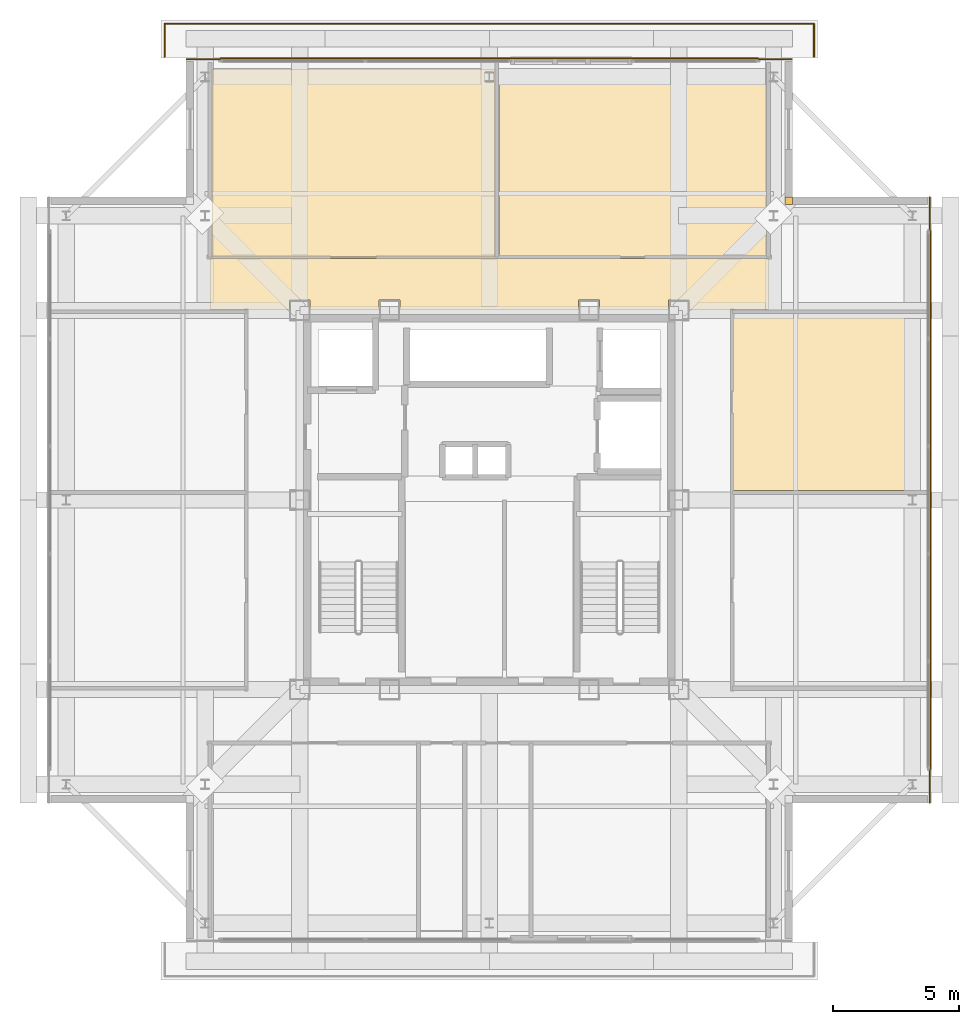
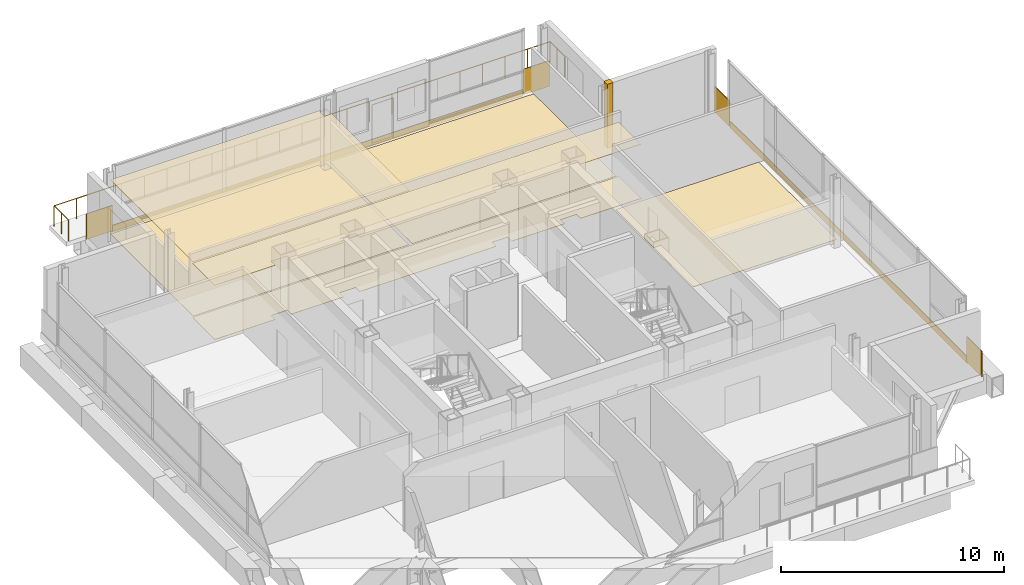
# One storey, part 15 of 15: 13 coverings, 3 railings.
"""IFC4 building model written with IfcOpenShell, lengths in metres."""

from ifc_helpers import new_model, si_unit, direction, frame, frame_2d, origin, origin_2d, place, context, subcontext, project, spatial, polyline, rectangle, circle, outline, extrude, material, layer, layer_set, type_object, element, save


model = new_model("IFC4")

# Units and contexts
model_context = context("Model", 3, precision=1e-05, world=origin(), true_north=direction((0.0, 1.0)))
body_context = subcontext(model_context, "Body", "Model", "MODEL_VIEW")
ifc_project = project(units=[si_unit("LENGTHUNIT", "METRE"), si_unit("AREAUNIT", "SQUARE_METRE"), si_unit("VOLUMEUNIT", "CUBIC_METRE"), si_unit("PLANEANGLEUNIT", "RADIAN"), si_unit("MASSUNIT", "GRAM", prefix="KILO")], contexts=[model_context])

# Site, building, storey
site_placement = place(None, origin())
site = spatial("IfcSite", under=ifc_project, at=site_placement, CompositionType="ELEMENT")
building_placement = place(site_placement, origin())
building = spatial("IfcBuilding", under=site, at=building_placement, Name="Trevonay Congress Spire", CompositionType="ELEMENT")
storey_placement = place(building_placement, frame((0.0, 0.0, 300.800048828125)))
storey = spatial("IfcBuildingStorey", under=building, at=storey_placement, Name="L79", CompositionType="ELEMENT", Elevation=300.800048828125)

# Coverings
ifc_material_1 = material(Name="Acoustic Mineral Fibre Board", Category="gypsum")
ifc_layer_1 = layer(ifc_material_1, 0.02490234375, Name="Acoustic Mineral Fibre Board")
ifc_layer_set_1 = layer_set([ifc_layer_1], Name="Acoustic Mineral Fibre Board")
covering_type_1 = type_object("IfcCoveringType", Name="COV-CEIL-ACOUSTIC", PredefinedType="CEILING", material=ifc_layer_set_1)
covering_1_placement = place(storey_placement, frame((0.0, 0.0, 2.969970703125)))
element("IfcCovering", 1, at=covering_1_placement, inside=storey, type_object=covering_type_1, Name="L79 Crown Gallery Corridor North acoustic suspended ceiling", PredefinedType="CEILING", context=body_context, shape_type="SweptSolid", body=[
    extrude(outline(polyline([(-11.050048828125, 7.550048828125), (-11.050048828125, 9.550048828125), (11.050048828125, 9.550048828125), (11.050048828125, 7.550048828125), (7.909912109375, 7.550048828125), (7.909912109375, 7.909912109375), (7.090087890625, 7.909912109375), (7.090087890625, 7.550048828125), (4.360107421875, 7.550048828125), (4.360107421875, 7.909912109375), (3.5400390625, 7.909912109375), (3.5400390625, 7.550048828125), (-3.5400390625, 7.550048828125), (-3.5400390625, 7.909912109375), (-4.360107421875, 7.909912109375), (-4.360107421875, 7.550048828125), (-7.090087890625, 7.550048828125), (-7.090087890625, 7.909912109375), (-7.909912109375, 7.909912109375), (-7.909912109375, 7.550048828125), (-11.050048828125, 7.550048828125)])), origin(), (0.0, 0.0, 1.0), 0.02490234375),
])
covering_2_placement = place(storey_placement, frame((0.0, 0.0, 2.969970703125)))
element("IfcCovering", 2, at=covering_2_placement, inside=storey, type_object=covering_type_1, Name="L79 Sky Horizon Viewing Gallery acoustic suspended ceiling", PredefinedType="CEILING", context=body_context, shape_type="SweptSolid", body=[
    extrude(outline(polyline([(-10.969970703125, 17.050048828125), (0.219970703125, 17.050048828125), (0.219970703125, 9.6201171875), (-10.969970703125, 9.6201171875), (-10.969970703125, 17.050048828125)]), holes=[polyline([(0.1708984375, 16.553955078125), (0.1708984375, 16.946044921875), (-0.1708984375, 16.946044921875), (-0.1708984375, 16.553955078125), (0.1708984375, 16.553955078125)])]), origin(), (0.0, 0.0, 1.0), 0.02490234375),
])
ifc_material_2 = material(Name="Polished Granite Floor Tile", Category="masonry")
ifc_layer_2 = layer(ifc_material_2, 0.02001953125, Name="Polished Granite Floor Tile")
ifc_layer_set_2 = layer_set([ifc_layer_2], Name="Polished Granite Floor Tile")
covering_type_2 = type_object("IfcCoveringType", Name="COV-FLOOR-STONE", PredefinedType="FLOORING", material=ifc_layer_set_2)
covering_3_placement = place(storey_placement, origin())
element("IfcCovering", 3, at=covering_3_placement, inside=storey, type_object=covering_type_2, Name="L79 Crown Gallery Corridor North floor finish", PredefinedType="FLOORING", context=body_context, shape_type="SweptSolid", body=[
    extrude(outline(polyline([(-11.050048828125, 7.550048828125), (-11.050048828125, 9.550048828125), (11.050048828125, 9.550048828125), (11.050048828125, 7.550048828125), (7.909912109375, 7.550048828125), (7.909912109375, 7.909912109375), (7.090087890625, 7.909912109375), (7.090087890625, 7.550048828125), (4.360107421875, 7.550048828125), (4.360107421875, 7.909912109375), (3.5400390625, 7.909912109375), (3.5400390625, 7.550048828125), (-3.5400390625, 7.550048828125), (-3.5400390625, 7.909912109375), (-4.360107421875, 7.909912109375), (-4.360107421875, 7.550048828125), (-7.090087890625, 7.550048828125), (-7.090087890625, 7.909912109375), (-7.909912109375, 7.909912109375), (-7.909912109375, 7.550048828125), (-11.050048828125, 7.550048828125)])), origin(), (0.0, 0.0, 1.0), 0.02001953125),
])
covering_4_placement = place(storey_placement, origin())
element("IfcCovering", 4, at=covering_4_placement, inside=storey, type_object=covering_type_2, Name="L79 Sky Horizon Viewing Gallery floor finish", PredefinedType="FLOORING", context=body_context, shape_type="SweptSolid", body=[
    extrude(outline(polyline([(-10.969970703125, 17.050048828125), (0.219970703125, 17.050048828125), (0.219970703125, 9.6201171875), (-10.969970703125, 9.6201171875), (-10.969970703125, 17.050048828125)]), holes=[polyline([(0.1708984375, 16.553955078125), (0.1708984375, 16.946044921875), (-0.1708984375, 16.946044921875), (-0.1708984375, 16.553955078125), (0.1708984375, 16.553955078125)])]), origin(), (0.0, 0.0, 1.0), 0.02001953125),
])
covering_5_placement = place(storey_placement, origin())
element("IfcCovering", 5, at=covering_5_placement, inside=storey, type_object=covering_type_2, Name="L79 Observatory Server Room floor finish", PredefinedType="FLOORING", context=body_context, shape_type="SweptSolid", body=[
    extrude(outline(polyline([(0.3798828125, 9.6201171875), (10.969970703125, 9.6201171875), (10.969970703125, 17.050048828125), (0.3798828125, 17.050048828125), (0.3798828125, 9.6201171875)])), origin(), (0.0, 0.0, 1.0), 0.02001953125),
])
covering_6_placement = place(storey_placement, origin())
element("IfcCovering", 6, at=covering_6_placement, inside=storey, type_object=covering_type_2, Name="L79 Female Restroom WC floor finish", PredefinedType="FLOORING", context=body_context, shape_type="SweptSolid", body=[
    extrude(outline(polyline([(9.6201171875, 0.3798828125), (17.050048828125, 0.3798828125), (17.050048828125, 7.3701171875), (9.6201171875, 7.3701171875), (9.6201171875, 0.3798828125)])), origin(), (0.0, 0.0, 1.0), 0.02001953125),
])
ifc_material_3 = material(Name="Pale Anodised Aluminium EN AW-6063-T6", Category="aluminium")
ifc_layer_3 = layer(ifc_material_3, 0.0400390625, Name="Pale Anodised Aluminium EN AW-6063-T6")
ifc_layer_set_3 = layer_set([ifc_layer_3], Name="Pale Anodised Aluminium EN AW-6063-T6")
covering_type_3 = type_object("IfcCoveringType", Name="COV-SPANDREL-PALE-METAL", PredefinedType="CLADDING", material=ifc_layer_set_3)
for number, where, z_axis, x_axis, name in (
    (7, (-10.64990234375, 17.47998046875, -0.239990234375), (0.0, 0.0, 1.0), (1.0, 0.0, 0.0), "L79 N pale-metal slab-edge spandrel cladding"),
    (8, (17.47998046875, -10.64990234375, -0.239990234375), (0.0, 0.0, 1.0), (0.0, 1.0, 0.0), "L79 E pale-metal slab-edge spandrel cladding"),
):
    element("IfcCovering", number, at=place(storey_placement, frame(where, z_axis=z_axis, x_axis=x_axis)), inside=storey, type_object=covering_type_3, Name=name, PredefinedType="CLADDING", context=body_context, shape_type="SweptSolid", body=[
        extrude(rectangle(XDim=21.2998046875, YDim=0.0400390625, at=frame_2d((10.64990234375, 0.0))), origin(), (0.0, 0.0, 1.0), 0.35986328125),
    ])
covering_7_placement = place(storey_placement, frame((17.43994140625, -10.64990234375, -0.150146484375), z_axis=(0.0, 0.0, 1.0), x_axis=(0.0, -1.0, 0.0)))
element("IfcCovering", 9, at=covering_7_placement, inside=storey, type_object=covering_type_3, Name="L79 SE corner pier spandrel cladding 1", PredefinedType="CLADDING", context=body_context, shape_type="SweptSolid", body=[
    extrude(rectangle(XDim=1.35009765625, YDim=0.0400390625, at=frame_2d((0.675048828125, 0.0))), origin(), (0.0, 0.0, 1.0), 1.400146484375),
])
covering_8_placement = place(storey_placement, origin())
element("IfcCovering", 10, at=covering_8_placement, inside=storey, type_object=covering_type_3, Name="L79 NE re-entrant notch corner closure trim", PredefinedType="CLADDING", context=body_context, shape_type="SweptSolid", body=[
    extrude(outline(polyline([(11.699951171875, 11.699951171875), (12.0, 11.699951171875), (12.0, 12.0), (11.699951171875, 12.0), (11.699951171875, 11.699951171875)])), origin(), (0.0, 0.0, 1.0), 3.52001953125),
])
for number, where, z_axis, x_axis, name in (
    (11, (17.43994140625, 10.64990234375, -0.150146484375), (0.0, 0.0, 1.0), (0.0, 1.0, 0.0), "L79 NE corner pier spandrel cladding 1"),
    (12, (10.64990234375, 17.43994140625, -0.150146484375), (0.0, 0.0, 1.0), (1.0, 0.0, 0.0), "L79 NE corner pier spandrel cladding 2"),
    (13, (-10.64990234375, 17.43994140625, -0.150146484375), (0.0, 0.0, 1.0), (-1.0, 0.0, 0.0), "L79 NW corner pier spandrel cladding 2"),
):
    element("IfcCovering", number, at=place(storey_placement, frame(where, z_axis=z_axis, x_axis=x_axis)), inside=storey, type_object=covering_type_3, Name=name, PredefinedType="CLADDING", context=body_context, shape_type="SweptSolid", body=[
        extrude(rectangle(XDim=1.35009765625, YDim=0.0400390625, at=frame_2d((0.675048828125, 0.0))), origin(), (0.0, 0.0, 1.0), 1.400146484375),
    ])

# Railings
railing_type = type_object("IfcRailingType", Name="RAL-BALUSTRADE-115", PredefinedType="BALUSTRADE", material=ifc_material_3)
railing_1_placement = place(storey_placement, frame((-12.85009765625, 17.550048828125, 0.0)))
element("IfcRailing", 14, at=railing_1_placement, inside=storey, type_object=railing_type, Name="L79 perimeter safety guard GRD-L79-SKY-N-1", PredefinedType="BALUSTRADE", context=body_context, shape_type="SweptSolid", body=[
    extrude(circle(Radius=0.02392578125, at=origin_2d()), frame((0.0, 0.0, 1.1259765625), z_axis=(0.0, 1.0, 0.0), x_axis=(-1.0, 0.0, 0.0)), (0.0, 0.0, 1.0), 1.300048828125),
    extrude(circle(Radius=0.02099609375, at=origin_2d()), origin(), (0.0, 0.0, 1.0), 1.101806640625),
    extrude(circle(Radius=0.02099609375, at=origin_2d()), frame((0.0, 0.64990234375, 0.0)), (0.0, 0.0, 1.0), 1.101806640625),
    extrude(circle(Radius=0.02099609375, at=origin_2d()), frame((0.0, 1.300048828125, 0.0)), (0.0, 0.0, 1.0), 1.101806640625),
])
railing_2_placement = place(storey_placement, frame((-12.85009765625, 18.85009765625, 0.0)))
element("IfcRailing", 15, at=railing_2_placement, inside=storey, type_object=railing_type, Name="L79 perimeter safety guard GRD-L79-SKY-N-2", PredefinedType="BALUSTRADE", context=body_context, shape_type="SweptSolid", body=[
    extrude(circle(Radius=0.02392578125, at=origin_2d()), frame((0.0, 0.0, 1.1259765625), z_axis=(1.0, 0.0, 0.0), x_axis=(0.0, 1.0, 0.0)), (0.0, 0.0, 1.0), 25.7001953125),
    extrude(circle(Radius=0.02099609375, at=origin_2d()), origin(), (0.0, 0.0, 1.0), 1.101806640625),
    extrude(circle(Radius=0.02099609375, at=origin_2d()), frame((1.168212890625, 0.0, 0.0)), (0.0, 0.0, 1.0), 1.101806640625),
    extrude(circle(Radius=0.02099609375, at=origin_2d()), frame((2.33642578125, 0.0, 0.0)), (0.0, 0.0, 1.0), 1.101806640625),
    extrude(circle(Radius=0.02099609375, at=origin_2d()), frame((3.504638671875, 0.0, 0.0)), (0.0, 0.0, 1.0), 1.101806640625),
    extrude(circle(Radius=0.02099609375, at=origin_2d()), frame((4.6728515625, 0.0, 0.0)), (0.0, 0.0, 1.0), 1.101806640625),
    extrude(circle(Radius=0.02099609375, at=origin_2d()), frame((5.841064453125, 0.0, 0.0)), (0.0, 0.0, 1.0), 1.101806640625),
    extrude(circle(Radius=0.02099609375, at=origin_2d()), frame((7.009033203125, 0.0, 0.0)), (0.0, 0.0, 1.0), 1.101806640625),
    extrude(circle(Radius=0.02099609375, at=origin_2d()), frame((8.17724609375, 0.0, 0.0)), (0.0, 0.0, 1.0), 1.101806640625),
    extrude(circle(Radius=0.02099609375, at=origin_2d()), frame((9.345458984375, 0.0, 0.0)), (0.0, 0.0, 1.0), 1.101806640625),
    extrude(circle(Radius=0.02099609375, at=origin_2d()), frame((10.513671875, 0.0, 0.0)), (0.0, 0.0, 1.0), 1.101806640625),
    extrude(circle(Radius=0.02099609375, at=origin_2d()), frame((11.681884765625, 0.0, 0.0)), (0.0, 0.0, 1.0), 1.101806640625),
    extrude(circle(Radius=0.02099609375, at=origin_2d()), frame((12.85009765625, 0.0, 0.0)), (0.0, 0.0, 1.0), 1.101806640625),
    extrude(circle(Radius=0.02099609375, at=origin_2d()), frame((14.018310546875, 0.0, 0.0)), (0.0, 0.0, 1.0), 1.101806640625),
    extrude(circle(Radius=0.02099609375, at=origin_2d()), frame((15.1865234375, 0.0, 0.0)), (0.0, 0.0, 1.0), 1.101806640625),
    extrude(circle(Radius=0.02099609375, at=origin_2d()), frame((16.354736328125, 0.0, 0.0)), (0.0, 0.0, 1.0), 1.101806640625),
    extrude(circle(Radius=0.02099609375, at=origin_2d()), frame((17.52294921875, 0.0, 0.0)), (0.0, 0.0, 1.0), 1.101806640625),
    extrude(circle(Radius=0.02099609375, at=origin_2d()), frame((18.691162109375, 0.0, 0.0)), (0.0, 0.0, 1.0), 1.101806640625),
    extrude(circle(Radius=0.02099609375, at=origin_2d()), frame((19.859130859375, 0.0, 0.0)), (0.0, 0.0, 1.0), 1.101806640625),
    extrude(circle(Radius=0.02099609375, at=origin_2d()), frame((21.02734375, 0.0, 0.0)), (0.0, 0.0, 1.0), 1.101806640625),
    extrude(circle(Radius=0.02099609375, at=origin_2d()), frame((22.195556640625, 0.0, 0.0)), (0.0, 0.0, 1.0), 1.101806640625),
    extrude(circle(Radius=0.02099609375, at=origin_2d()), frame((23.36376953125, 0.0, 0.0)), (0.0, 0.0, 1.0), 1.101806640625),
    extrude(circle(Radius=0.02099609375, at=origin_2d()), frame((24.531982421875, 0.0, 0.0)), (0.0, 0.0, 1.0), 1.101806640625),
    extrude(circle(Radius=0.02099609375, at=origin_2d()), frame((25.7001953125, 0.0, 0.0)), (0.0, 0.0, 1.0), 1.101806640625),
])
railing_3_placement = place(storey_placement, frame((12.85009765625, 18.85009765625, 0.0)))
element("IfcRailing", 16, at=railing_3_placement, inside=storey, type_object=railing_type, Name="L79 perimeter safety guard GRD-L79-SKY-N-3", PredefinedType="BALUSTRADE", context=body_context, shape_type="SweptSolid", body=[
    extrude(circle(Radius=0.02392578125, at=origin_2d()), frame((0.0, 0.0, 1.1259765625), z_axis=(0.0, -1.0, 0.0), x_axis=(1.0, 0.0, 0.0)), (0.0, 0.0, 1.0), 1.300048828125),
    extrude(circle(Radius=0.02099609375, at=origin_2d()), origin(), (0.0, 0.0, 1.0), 1.101806640625),
    extrude(circle(Radius=0.02099609375, at=origin_2d()), frame((0.0, -0.64990234375, 0.0)), (0.0, 0.0, 1.0), 1.101806640625),
    extrude(circle(Radius=0.02099609375, at=origin_2d()), frame((0.0, -1.300048828125, 0.0)), (0.0, 0.0, 1.0), 1.101806640625),
])

save(model, "model.ifc")
